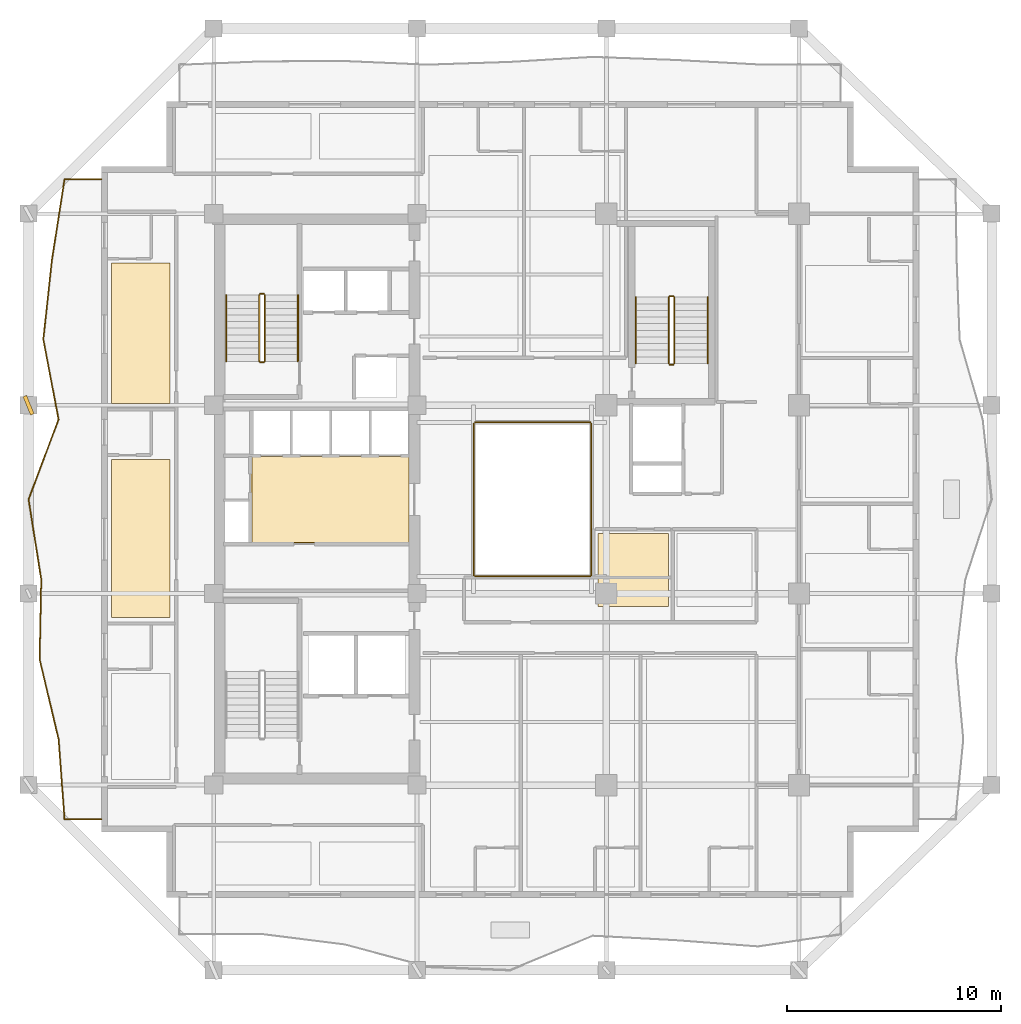
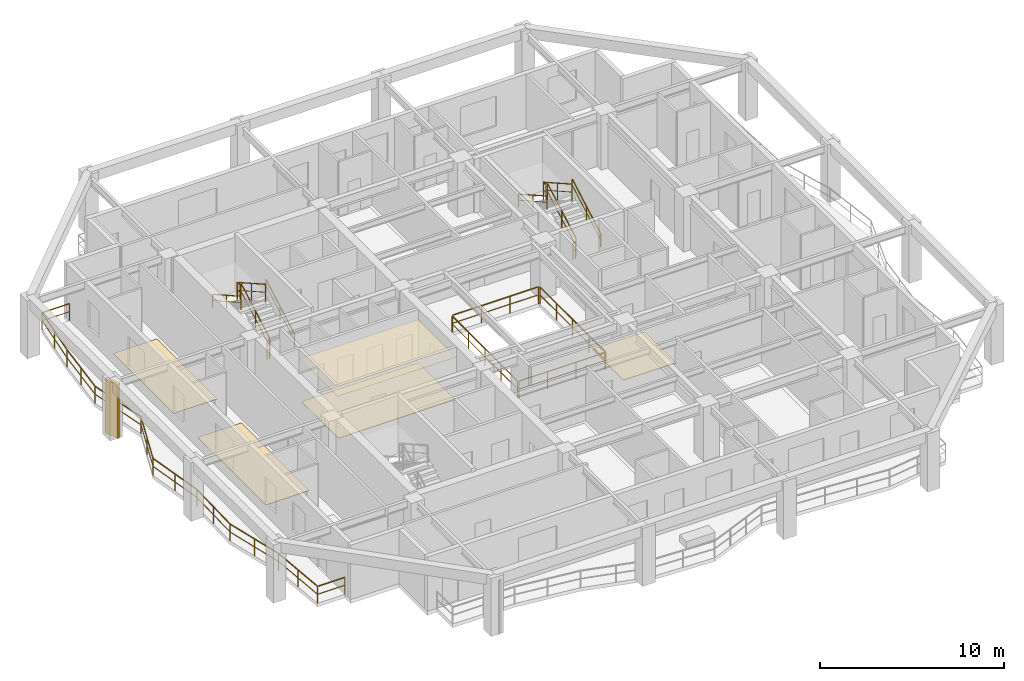
# One storey, part 9 of 11: 17 railings, 5 coverings, 1 shading device.
"""IFC4 building model written with IfcOpenShell, lengths in metres."""

from ifc_helpers import new_model, si_unit, direction, frame, origin, origin_2d, place, context, subcontext, project, spatial, polyline, rectangle, outline, extrude, material, layer, layer_set, type_object, element, save


model = new_model("IFC4")

# Units and contexts
model_context = context("Model", 3, precision=1e-05, world=origin(), true_north=direction((0.0, 1.0)))
body_context = subcontext(model_context, "Body", "Model", "MODEL_VIEW")
ifc_project = project(units=[si_unit("LENGTHUNIT", "METRE"), si_unit("AREAUNIT", "SQUARE_METRE"), si_unit("VOLUMEUNIT", "CUBIC_METRE"), si_unit("PLANEANGLEUNIT", "RADIAN"), si_unit("MASSUNIT", "GRAM", prefix="KILO")], contexts=[model_context])

# Site, building, storey
site_placement = place(None, origin())
site = spatial("IfcSite", under=ifc_project, at=site_placement, CompositionType="ELEMENT")
building_placement = place(site_placement, origin())
building = spatial("IfcBuilding", under=site, at=building_placement, Name="Kundavana Baori Tower", CompositionType="ELEMENT")
storey_placement = place(building_placement, frame((0.0, 0.0, 127.10009765625)))
storey = spatial("IfcBuildingStorey", under=building, at=storey_placement, Name="L30", CompositionType="ELEMENT", Elevation=127.10009765625)

# Coverings
ifc_material_1 = material(Name="Perforated Acoustic Mineral Fibre Ceiling Board")
ifc_layer_1 = layer(ifc_material_1, 0.02490234375, Name="COV-INT-CEIL")
ifc_layer_set_1 = layer_set([ifc_layer_1], Name="Perforated Acoustic Mineral Fibre Ceiling Board")
covering_type_1 = type_object("IfcCoveringType", Name="COV-INT-CEIL", PredefinedType="CEILING", material=ifc_layer_set_1)
covering_1_placement = place(storey_placement, frame((0.0, 0.0, 2.849853515625)))
element("IfcCovering", 1, at=covering_1_placement, inside=storey, type_object=covering_type_1, Name="L30 Core Lift Lobby Acoustic Ceiling", PredefinedType="CEILING", context=body_context, shape_type="SweptSolid", body=[
    extrude(outline(polyline([(17.159912109375, 26.52001953125), (24.580078125, 26.52001953125), (24.580078125, 30.639892578125), (17.159912109375, 30.639892578125), (17.159912109375, 26.52001953125)])), origin(), (0.0, 0.0, 1.0), 0.025146484375),
])
ifc_material_2 = material(Name="Honed Kota Stone and Terrazzo Flooring", Category="masonry")
ifc_layer_2 = layer(ifc_material_2, 0.030029296875, Name="COV-INT-FLR")
ifc_layer_set_2 = layer_set([ifc_layer_2], Name="Honed Kota Stone and Terrazzo Flooring")
covering_type_2 = type_object("IfcCoveringType", Name="COV-INT-FLR", PredefinedType="FLOORING", material=ifc_layer_set_2)
covering_2_placement = place(storey_placement, origin())
element("IfcCovering", 2, at=covering_2_placement, inside=storey, type_object=covering_type_2, Name="L30 Room Finished Stone Flooring 2", PredefinedType="FLOORING", context=body_context, shape_type="SweptSolid", body=[
    extrude(outline(polyline([(10.679931640625, 23.080078125), (13.419921875, 23.080078125), (13.419921875, 30.469970703125), (10.679931640625, 30.469970703125), (10.679931640625, 23.080078125)])), origin(), (0.0, 0.0, 1.0), 0.02978515625),
])
covering_3_placement = place(storey_placement, origin())
element("IfcCovering", 3, at=covering_3_placement, inside=storey, type_object=covering_type_2, Name="L30 Room Finished Stone Flooring 3", PredefinedType="FLOORING", context=body_context, shape_type="SweptSolid", body=[
    extrude(outline(polyline([(10.679931640625, 33.080078125), (13.419921875, 33.080078125), (13.419921875, 39.64990234375), (10.679931640625, 39.64990234375), (10.679931640625, 33.080078125)])), origin(), (0.0, 0.0, 1.0), 0.02978515625),
])
covering_4_placement = place(storey_placement, origin())
element("IfcCovering", 4, at=covering_4_placement, inside=storey, type_object=covering_type_2, Name="L30 Room Finished Stone Flooring 17", PredefinedType="FLOORING", context=body_context, shape_type="SweptSolid", body=[
    extrude(outline(polyline([(33.39990234375, 23.60009765625), (36.699951171875, 23.60009765625), (36.699951171875, 27.0), (33.39990234375, 27.0), (33.39990234375, 23.60009765625)])), origin(), (0.0, 0.0, 1.0), 0.02978515625),
])
covering_5_placement = place(storey_placement, origin())
element("IfcCovering", 5, at=covering_5_placement, inside=storey, type_object=covering_type_2, Name="L30 Core Lift Lobby Kota Stone Flooring", PredefinedType="FLOORING", context=body_context, shape_type="SweptSolid", body=[
    extrude(outline(polyline([(17.25, 26.580078125), (24.580078125, 26.580078125), (24.580078125, 30.60009765625), (17.25, 30.60009765625), (17.25, 26.580078125)])), origin(), (0.0, 0.0, 1.0), 0.02978515625),
])

# Railings
ifc_material_3 = material(Name="Architectural Patinated Bronze Metalwork")
railing_type_1 = type_object("IfcRailingType", Name="RL-BAL-1150", PredefinedType="BALUSTRADE", material=ifc_material_3)
railing_1_placement = place(storey_placement, frame((10.199951171875, 13.64990234375, 0.0)))
element("IfcRailing", 6, at=railing_1_placement, inside=storey, type_object=railing_type_1, Name="L30 Loggia Balcony Balustrade W", PredefinedType="BALUSTRADE", context=body_context, shape_type="SweptSolid", body=[
    extrude(rectangle(XDim=0.048095703125, YDim=0.048095703125, at=origin_2d()), frame((0.0, 0.0, 1.1259765625), z_axis=(-1.0, 0.0, 0.0), x_axis=(0.0, -1.0, 0.0)), (0.0, 0.0, 1.0), 1.719970703125),
    extrude(rectangle(XDim=0.03125, YDim=0.03125, at=origin_2d()), frame((0.0, 0.0, 0.597900390625), z_axis=(-1.0, 0.0, 0.0), x_axis=(0.0, -1.0, 0.0)), (0.0, 0.0, 1.0), 1.719970703125),
    extrude(rectangle(XDim=0.048095703125, YDim=0.048095703125, at=origin_2d()), frame((-1.719970703125, 0.0, 1.1259765625), z_axis=(-0.073946079801, 0.997262240979, 0.0), x_axis=(-0.997262240979, -0.073946079801, 0.0)), (0.0, 0.0, 1.0), 3.747314453125),
    extrude(rectangle(XDim=0.03125, YDim=0.03125, at=origin_2d()), frame((-1.719970703125, 0.0, 0.597900390625), z_axis=(-0.073946079801, 0.997262240979, 0.0), x_axis=(-0.997262240979, -0.073946079801, 0.0)), (0.0, 0.0, 1.0), 3.747314453125),
    extrude(rectangle(XDim=0.048095703125, YDim=0.048095703125, at=origin_2d()), frame((-1.9970703125, 3.737060546875, 1.1259765625), z_axis=(-0.231110777151, 0.972927442662, 0.0), x_axis=(-0.972927442662, -0.231110777151, 0.0)), (0.0, 0.0, 1.0), 3.842041015625),
    extrude(rectangle(XDim=0.03125, YDim=0.03125, at=origin_2d()), frame((-1.9970703125, 3.737060546875, 0.597900390625), z_axis=(-0.231110777151, 0.972927442662, 0.0), x_axis=(-0.972927442662, -0.231110777151, 0.0)), (0.0, 0.0, 1.0), 3.842041015625),
    extrude(rectangle(XDim=0.048095703125, YDim=0.048095703125, at=origin_2d()), frame((-2.885009765625, 7.47509765625, 1.1259765625), z_axis=(0.020052150857, 0.99979893541, 0.0), x_axis=(-0.99979893541, 0.020052150857, 0.0)), (0.0, 0.0, 1.0), 3.73779296875),
    extrude(rectangle(XDim=0.03125, YDim=0.03125, at=origin_2d()), frame((-2.885009765625, 7.47509765625, 0.597900390625), z_axis=(0.020052150857, 0.99979893541, 0.0), x_axis=(-0.99979893541, 0.020052150857, 0.0)), (0.0, 0.0, 1.0), 3.73779296875),
    extrude(rectangle(XDim=0.048095703125, YDim=0.048095703125, at=origin_2d()), frame((-2.81005859375, 11.212158203125, 1.1259765625), z_axis=(-0.155866498768, 0.987778130231, 0.0), x_axis=(-0.987778130231, -0.155866498768, 0.0)), (0.0, 0.0, 1.0), 3.7841796875),
    extrude(rectangle(XDim=0.03125, YDim=0.03125, at=origin_2d()), frame((-2.81005859375, 11.212158203125, 0.597900390625), z_axis=(-0.155866498768, 0.987778130231, 0.0), x_axis=(-0.987778130231, -0.155866498768, 0.0)), (0.0, 0.0, 1.0), 3.7841796875),
    extrude(rectangle(XDim=0.048095703125, YDim=0.048095703125, at=origin_2d()), frame((-3.39990234375, 14.9501953125, 1.1259765625), z_axis=(0.351029580303, 0.936364370185, 0.0), x_axis=(-0.936364370185, 0.351029580303, 0.0)), (0.0, 0.0, 1.0), 3.99072265625),
    extrude(rectangle(XDim=0.03125, YDim=0.03125, at=origin_2d()), frame((-3.39990234375, 14.9501953125, 0.597900390625), z_axis=(0.351029580303, 0.936364370185, 0.0), x_axis=(-0.936364370185, 0.351029580303, 0.0)), (0.0, 0.0, 1.0), 3.99072265625),
    extrude(rectangle(XDim=0.048095703125, YDim=0.048095703125, at=origin_2d()), frame((-1.9990234375, 18.68701171875, 1.1259765625), z_axis=(-0.187583759242, 0.982248610724, 0.0), x_axis=(-0.982248610724, -0.187583759242, 0.0)), (0.0, 0.0, 1.0), 3.8056640625),
    extrude(rectangle(XDim=0.03125, YDim=0.03125, at=origin_2d()), frame((-1.9990234375, 18.68701171875, 0.597900390625), z_axis=(-0.187583759242, 0.982248610724, 0.0), x_axis=(-0.982248610724, -0.187583759242, 0.0)), (0.0, 0.0, 1.0), 3.8056640625),
    extrude(rectangle(XDim=0.048095703125, YDim=0.048095703125, at=origin_2d()), frame((-2.712890625, 22.425048828125, 1.1259765625), z_axis=(0.10800755031, 0.994150073719, 0.0), x_axis=(-0.994150073719, 0.10800755031, 0.0)), (0.0, 0.0, 1.0), 3.759033203125),
    extrude(rectangle(XDim=0.03125, YDim=0.03125, at=origin_2d()), frame((-2.712890625, 22.425048828125, 0.597900390625), z_axis=(0.10800755031, 0.994150073719, 0.0), x_axis=(-0.994150073719, 0.10800755031, 0.0)), (0.0, 0.0, 1.0), 3.759033203125),
    extrude(rectangle(XDim=0.048095703125, YDim=0.048095703125, at=origin_2d()), frame((-2.306884765625, 26.162109375, 1.1259765625), z_axis=(0.155110998896, 0.987897048291, 0.0), x_axis=(-0.987897048291, 0.155110998896, 0.0)), (0.0, 0.0, 1.0), 3.783935546875),
    extrude(rectangle(XDim=0.03125, YDim=0.03125, at=origin_2d()), frame((-2.306884765625, 26.162109375, 0.597900390625), z_axis=(0.155110998896, 0.987897048291, 0.0), x_axis=(-0.987897048291, 0.155110998896, 0.0)), (0.0, 0.0, 1.0), 3.783935546875),
    extrude(rectangle(XDim=0.048095703125, YDim=0.048095703125, at=origin_2d()), frame((-1.719970703125, 29.900146484375, 1.1259765625), z_axis=(1.0, 0.0, 0.0), x_axis=(0.0, 1.0, 0.0)), (0.0, 0.0, 1.0), 1.719970703125),
    extrude(rectangle(XDim=0.03125, YDim=0.03125, at=origin_2d()), frame((-1.719970703125, 29.900146484375, 0.597900390625), z_axis=(1.0, 0.0, 0.0), x_axis=(0.0, 1.0, 0.0)), (0.0, 0.0, 1.0), 1.719970703125),
    extrude(rectangle(XDim=0.0419921875, YDim=0.0419921875, at=origin_2d()), origin(), (0.0, 0.0, 1.0), 1.101806640625),
    extrude(rectangle(XDim=0.0419921875, YDim=0.0419921875, at=origin_2d()), frame((-1.719970703125, 0.0, 0.0)), (0.0, 0.0, 1.0), 1.101806640625),
    extrude(rectangle(XDim=0.0419921875, YDim=0.0419921875, at=origin_2d()), frame((-1.8583984375, 1.86865234375, 0.0)), (0.0, 0.0, 1.0), 1.101806640625),
    extrude(rectangle(XDim=0.0419921875, YDim=0.0419921875, at=origin_2d()), frame((-1.9970703125, 3.737060546875, 0.0)), (0.0, 0.0, 1.0), 1.101806640625),
    extrude(rectangle(XDim=0.0419921875, YDim=0.0419921875, at=origin_2d()), frame((-2.44091796875, 5.60595703125, 0.0)), (0.0, 0.0, 1.0), 1.101806640625),
    extrude(rectangle(XDim=0.0419921875, YDim=0.0419921875, at=origin_2d()), frame((-2.885009765625, 7.47509765625, 0.0)), (0.0, 0.0, 1.0), 1.101806640625),
    extrude(rectangle(XDim=0.0419921875, YDim=0.0419921875, at=origin_2d()), frame((-2.84765625, 9.34375, 0.0)), (0.0, 0.0, 1.0), 1.101806640625),
    extrude(rectangle(XDim=0.0419921875, YDim=0.0419921875, at=origin_2d()), frame((-2.81005859375, 11.212158203125, 0.0)), (0.0, 0.0, 1.0), 1.101806640625),
    extrude(rectangle(XDim=0.0419921875, YDim=0.0419921875, at=origin_2d()), frame((-3.10498046875, 13.0810546875, 0.0)), (0.0, 0.0, 1.0), 1.101806640625),
    extrude(rectangle(XDim=0.0419921875, YDim=0.0419921875, at=origin_2d()), frame((-3.39990234375, 14.9501953125, 0.0)), (0.0, 0.0, 1.0), 1.101806640625),
    extrude(rectangle(XDim=0.0419921875, YDim=0.0419921875, at=origin_2d()), frame((-2.699462890625, 16.818603515625, 0.0)), (0.0, 0.0, 1.0), 1.101806640625),
    extrude(rectangle(XDim=0.0419921875, YDim=0.0419921875, at=origin_2d()), frame((-1.9990234375, 18.68701171875, 0.0)), (0.0, 0.0, 1.0), 1.101806640625),
    extrude(rectangle(XDim=0.0419921875, YDim=0.0419921875, at=origin_2d()), frame((-2.35595703125, 20.55615234375, 0.0)), (0.0, 0.0, 1.0), 1.101806640625),
    extrude(rectangle(XDim=0.0419921875, YDim=0.0419921875, at=origin_2d()), frame((-2.712890625, 22.425048828125, 0.0)), (0.0, 0.0, 1.0), 1.101806640625),
    extrude(rectangle(XDim=0.0419921875, YDim=0.0419921875, at=origin_2d()), frame((-2.509765625, 24.29345703125, 0.0)), (0.0, 0.0, 1.0), 1.101806640625),
    extrude(rectangle(XDim=0.0419921875, YDim=0.0419921875, at=origin_2d()), frame((-2.306884765625, 26.162109375, 0.0)), (0.0, 0.0, 1.0), 1.101806640625),
    extrude(rectangle(XDim=0.0419921875, YDim=0.0419921875, at=origin_2d()), frame((-2.013427734375, 28.03125, 0.0)), (0.0, 0.0, 1.0), 1.101806640625),
    extrude(rectangle(XDim=0.0419921875, YDim=0.0419921875, at=origin_2d()), frame((-1.719970703125, 29.900146484375, 0.0)), (0.0, 0.0, 1.0), 1.101806640625),
    extrude(rectangle(XDim=0.0419921875, YDim=0.0419921875, at=origin_2d()), frame((0.0, 29.900146484375, 0.0)), (0.0, 0.0, 1.0), 1.101806640625),
])
ifc_material_4 = material(Name="Architectural Patinated Bronze Metalwork")
railing_type_2 = type_object("IfcRailingType", Name="RL-GRD-1150", PredefinedType="GUARDRAIL", material=ifc_material_4)
railing_2_placement = place(storey_placement, frame((17.840087890625, 35.050048828125, 0.1748046875)))
element("IfcRailing", 7, at=railing_2_placement, inside=storey, type_object=railing_type_2, Name="L30 ST2 stair guard 1", PredefinedType="GUARDRAIL", context=body_context, shape_type="SweptSolid", body=[
    extrude(rectangle(XDim=0.048095703125, YDim=0.048095703125, at=origin_2d()), frame((0.0, 0.0, 1.1259765625), z_axis=(0.0, 0.870814364268, 0.491611984175), x_axis=(-1.0, 0.0, 0.0)), (0.0, 0.0, 1.0), 3.559814453125),
    extrude(rectangle(XDim=0.03125, YDim=0.03125, at=origin_2d()), frame((0.0, 0.0, 0.597900390625), z_axis=(0.0, 0.870814364268, 0.491611984175), x_axis=(-1.0, 0.0, 0.0)), (0.0, 0.0, 1.0), 3.559814453125),
    extrude(rectangle(XDim=0.0419921875, YDim=0.0419921875, at=origin_2d()), origin(), (0.0, 0.0, 1.0), 1.101806640625),
    extrude(rectangle(XDim=0.0419921875, YDim=0.0419921875, at=origin_2d()), frame((0.0, 1.5498046875, 0.875)), (0.0, 0.0, 1.0), 1.101806640625),
    extrude(rectangle(XDim=0.0419921875, YDim=0.0419921875, at=origin_2d()), frame((0.0, 3.099853515625, 1.75)), (0.0, 0.0, 1.0), 1.101806640625),
])
railing_3_placement = place(storey_placement, frame((17.7900390625, 38.199951171875, 1.9248046875)))
element("IfcRailing", 8, at=railing_3_placement, inside=storey, type_object=railing_type_2, Name="L30 ST2 stair guard 2", PredefinedType="GUARDRAIL", context=body_context, shape_type="SweptSolid", body=[
    extrude(rectangle(XDim=0.048095703125, YDim=0.048095703125, at=origin_2d()), frame((0.0, 0.0, 1.1259765625), z_axis=(-1.0, 0.0, 0.0), x_axis=(0.0, -1.0, 0.0)), (0.0, 0.0, 1.0), 0.16015625),
    extrude(rectangle(XDim=0.03125, YDim=0.03125, at=origin_2d()), frame((0.0, 0.0, 0.597900390625), z_axis=(-1.0, 0.0, 0.0), x_axis=(0.0, -1.0, 0.0)), (0.0, 0.0, 1.0), 0.16015625),
    extrude(rectangle(XDim=0.0419921875, YDim=0.0419921875, at=origin_2d()), origin(), (0.0, 0.0, 1.0), 1.101806640625),
    extrude(rectangle(XDim=0.0419921875, YDim=0.0419921875, at=origin_2d()), frame((-0.16015625, 0.0, 0.0)), (0.0, 0.0, 1.0), 1.101806640625),
])
railing_4_placement = place(storey_placement, frame((17.580078125, 38.14990234375, 2.099853515625)))
element("IfcRailing", 9, at=railing_4_placement, inside=storey, type_object=railing_type_2, Name="L30 ST2 stair guard 3", PredefinedType="GUARDRAIL", context=body_context, shape_type="SweptSolid", body=[
    extrude(rectangle(XDim=0.048095703125, YDim=0.048095703125, at=origin_2d()), frame((0.0, 0.0, 1.1259765625), z_axis=(0.0, -0.870814364268, 0.491611984175), x_axis=(1.0, 0.0, 0.0)), (0.0, 0.0, 1.0), 3.559814453125),
    extrude(rectangle(XDim=0.03125, YDim=0.03125, at=origin_2d()), frame((0.0, 0.0, 0.597900390625), z_axis=(0.0, -0.870814364268, 0.491611984175), x_axis=(1.0, 0.0, 0.0)), (0.0, 0.0, 1.0), 3.559814453125),
    extrude(rectangle(XDim=0.0419921875, YDim=0.0419921875, at=origin_2d()), origin(), (0.0, 0.0, 1.0), 1.101806640625),
    extrude(rectangle(XDim=0.0419921875, YDim=0.0419921875, at=origin_2d()), frame((0.0, -1.5498046875, 0.875)), (0.0, 0.0, 1.0), 1.101806640625),
    extrude(rectangle(XDim=0.0419921875, YDim=0.0419921875, at=origin_2d()), frame((0.0, -3.099853515625, 1.75)), (0.0, 0.0, 1.0), 1.101806640625),
])
railing_5_placement = place(storey_placement, frame((17.7900390625, 35.0, 0.0)))
element("IfcRailing", 10, at=railing_5_placement, inside=storey, type_object=railing_type_2, Name="L30 ST2 stair guard 4", PredefinedType="GUARDRAIL", context=body_context, shape_type="SweptSolid", body=[
    extrude(rectangle(XDim=0.048095703125, YDim=0.048095703125, at=origin_2d()), frame((0.0, 0.0, 1.1259765625), z_axis=(-1.0, 0.0, 0.0), x_axis=(0.0, -1.0, 0.0)), (0.0, 0.0, 1.0), 0.16015625),
    extrude(rectangle(XDim=0.03125, YDim=0.03125, at=origin_2d()), frame((0.0, 0.0, 0.597900390625), z_axis=(-1.0, 0.0, 0.0), x_axis=(0.0, -1.0, 0.0)), (0.0, 0.0, 1.0), 0.16015625),
    extrude(rectangle(XDim=0.0419921875, YDim=0.0419921875, at=origin_2d()), origin(), (0.0, 0.0, 1.0), 1.101806640625),
    extrude(rectangle(XDim=0.0419921875, YDim=0.0419921875, at=origin_2d()), frame((-0.16015625, 0.0, 0.0)), (0.0, 0.0, 1.0), 1.101806640625),
])
railing_6_placement = place(storey_placement, frame((36.97998046875, 34.949951171875, 0.1748046875)))
element("IfcRailing", 11, at=railing_6_placement, inside=storey, type_object=railing_type_2, Name="L30 ST3 stair guard 1", PredefinedType="GUARDRAIL", context=body_context, shape_type="SweptSolid", body=[
    extrude(rectangle(XDim=0.048095703125, YDim=0.048095703125, at=origin_2d()), frame((0.0, 0.0, 1.1259765625), z_axis=(0.0, 0.870830938388, 0.491582624537), x_axis=(-1.0, 0.0, 0.0)), (0.0, 0.0, 1.0), 3.559814453125),
    extrude(rectangle(XDim=0.03125, YDim=0.03125, at=origin_2d()), frame((0.0, 0.0, 0.597900390625), z_axis=(0.0, 0.870830938388, 0.491582624537), x_axis=(-1.0, 0.0, 0.0)), (0.0, 0.0, 1.0), 3.559814453125),
    extrude(rectangle(XDim=0.0419921875, YDim=0.0419921875, at=origin_2d()), origin(), (0.0, 0.0, 1.0), 1.101806640625),
    extrude(rectangle(XDim=0.0419921875, YDim=0.0419921875, at=origin_2d()), frame((0.0, 1.550048828125, 0.875)), (0.0, 0.0, 1.0), 1.101806640625),
    extrude(rectangle(XDim=0.0419921875, YDim=0.0419921875, at=origin_2d()), frame((0.0, 3.10009765625, 1.75)), (0.0, 0.0, 1.0), 1.101806640625),
])
railing_7_placement = place(storey_placement, frame((36.929931640625, 38.10009765625, 1.9248046875)))
element("IfcRailing", 12, at=railing_7_placement, inside=storey, type_object=railing_type_2, Name="L30 ST3 stair guard 2", PredefinedType="GUARDRAIL", context=body_context, shape_type="SweptSolid", body=[
    extrude(rectangle(XDim=0.048095703125, YDim=0.048095703125, at=origin_2d()), frame((0.0, 0.0, 1.1259765625), z_axis=(-1.0, 0.0, 0.0), x_axis=(0.0, -1.0, 0.0)), (0.0, 0.0, 1.0), 0.159912109375),
    extrude(rectangle(XDim=0.03125, YDim=0.03125, at=origin_2d()), frame((0.0, 0.0, 0.597900390625), z_axis=(-1.0, 0.0, 0.0), x_axis=(0.0, -1.0, 0.0)), (0.0, 0.0, 1.0), 0.159912109375),
    extrude(rectangle(XDim=0.0419921875, YDim=0.0419921875, at=origin_2d()), origin(), (0.0, 0.0, 1.0), 1.101806640625),
    extrude(rectangle(XDim=0.0419921875, YDim=0.0419921875, at=origin_2d()), frame((-0.159912109375, 0.0, 0.0)), (0.0, 0.0, 1.0), 1.101806640625),
])
railing_8_placement = place(storey_placement, frame((36.719970703125, 38.050048828125, 2.099853515625)))
element("IfcRailing", 13, at=railing_8_placement, inside=storey, type_object=railing_type_2, Name="L30 ST3 stair guard 3", PredefinedType="GUARDRAIL", context=body_context, shape_type="SweptSolid", body=[
    extrude(rectangle(XDim=0.048095703125, YDim=0.048095703125, at=origin_2d()), frame((0.0, 0.0, 1.1259765625), z_axis=(0.0, -0.870830938388, 0.491582624537), x_axis=(1.0, 0.0, 0.0)), (0.0, 0.0, 1.0), 3.559814453125),
    extrude(rectangle(XDim=0.03125, YDim=0.03125, at=origin_2d()), frame((0.0, 0.0, 0.597900390625), z_axis=(0.0, -0.870830938388, 0.491582624537), x_axis=(1.0, 0.0, 0.0)), (0.0, 0.0, 1.0), 3.559814453125),
    extrude(rectangle(XDim=0.0419921875, YDim=0.0419921875, at=origin_2d()), origin(), (0.0, 0.0, 1.0), 1.101806640625),
    extrude(rectangle(XDim=0.0419921875, YDim=0.0419921875, at=origin_2d()), frame((0.0, -1.550048828125, 0.875)), (0.0, 0.0, 1.0), 1.101806640625),
    extrude(rectangle(XDim=0.0419921875, YDim=0.0419921875, at=origin_2d()), frame((0.0, -3.10009765625, 1.75)), (0.0, 0.0, 1.0), 1.101806640625),
])
railing_9_placement = place(storey_placement, frame((36.929931640625, 34.89990234375, 0.0)))
element("IfcRailing", 14, at=railing_9_placement, inside=storey, type_object=railing_type_2, Name="L30 ST3 stair guard 4", PredefinedType="GUARDRAIL", context=body_context, shape_type="SweptSolid", body=[
    extrude(rectangle(XDim=0.048095703125, YDim=0.048095703125, at=origin_2d()), frame((0.0, 0.0, 1.1259765625), z_axis=(-1.0, 0.0, 0.0), x_axis=(0.0, -1.0, 0.0)), (0.0, 0.0, 1.0), 0.159912109375),
    extrude(rectangle(XDim=0.03125, YDim=0.03125, at=origin_2d()), frame((0.0, 0.0, 0.597900390625), z_axis=(-1.0, 0.0, 0.0), x_axis=(0.0, -1.0, 0.0)), (0.0, 0.0, 1.0), 0.159912109375),
    extrude(rectangle(XDim=0.0419921875, YDim=0.0419921875, at=origin_2d()), origin(), (0.0, 0.0, 1.0), 1.101806640625),
    extrude(rectangle(XDim=0.0419921875, YDim=0.0419921875, at=origin_2d()), frame((-0.159912109375, 0.0, 0.0)), (0.0, 0.0, 1.0), 1.101806640625),
])
railing_10_placement = place(storey_placement, frame((27.659912109375, 25.0, 0.0)))
element("IfcRailing", 15, at=railing_10_placement, inside=storey, type_object=railing_type_2, Name="L30 Atrium Void Perimeter Guardrail S", PredefinedType="GUARDRAIL", context=body_context, shape_type="SweptSolid", body=[
    extrude(rectangle(XDim=0.048095703125, YDim=0.048095703125, at=origin_2d()), frame((0.0, 0.0, 1.1259765625), z_axis=(1.0, 0.0, 0.0), x_axis=(0.0, 1.0, 0.0)), (0.0, 0.0, 1.0), 5.380126953125),
    extrude(rectangle(XDim=0.03125, YDim=0.03125, at=origin_2d()), frame((0.0, 0.0, 0.597900390625), z_axis=(1.0, 0.0, 0.0), x_axis=(0.0, 1.0, 0.0)), (0.0, 0.0, 1.0), 5.380126953125),
    extrude(rectangle(XDim=0.0419921875, YDim=0.0419921875, at=origin_2d()), origin(), (0.0, 0.0, 1.0), 1.101806640625),
    extrude(rectangle(XDim=0.0419921875, YDim=0.0419921875, at=origin_2d()), frame((1.79345703125, 0.0, 0.0)), (0.0, 0.0, 1.0), 1.101806640625),
    extrude(rectangle(XDim=0.0419921875, YDim=0.0419921875, at=origin_2d()), frame((3.586669921875, 0.0, 0.0)), (0.0, 0.0, 1.0), 1.101806640625),
    extrude(rectangle(XDim=0.0419921875, YDim=0.0419921875, at=origin_2d()), frame((5.380126953125, 0.0, 0.0)), (0.0, 0.0, 1.0), 1.101806640625),
])
railing_11_placement = place(storey_placement, frame((33.10009765625, 25.06005859375, 0.0)))
element("IfcRailing", 16, at=railing_11_placement, inside=storey, type_object=railing_type_2, Name="L30 Atrium Void Perimeter Guardrail E", PredefinedType="GUARDRAIL", context=body_context, shape_type="SweptSolid", body=[
    extrude(rectangle(XDim=0.048095703125, YDim=0.048095703125, at=origin_2d()), frame((0.0, 0.0, 1.1259765625), z_axis=(0.0, 1.0, 0.0), x_axis=(-1.0, 0.0, 0.0)), (0.0, 0.0, 1.0), 7.079833984375),
    extrude(rectangle(XDim=0.03125, YDim=0.03125, at=origin_2d()), frame((0.0, 0.0, 0.597900390625), z_axis=(0.0, 1.0, 0.0), x_axis=(-1.0, 0.0, 0.0)), (0.0, 0.0, 1.0), 7.079833984375),
    extrude(rectangle(XDim=0.0419921875, YDim=0.0419921875, at=origin_2d()), origin(), (0.0, 0.0, 1.0), 1.101806640625),
    extrude(rectangle(XDim=0.0419921875, YDim=0.0419921875, at=origin_2d()), frame((0.0, 1.77001953125, 0.0)), (0.0, 0.0, 1.0), 1.101806640625),
    extrude(rectangle(XDim=0.0419921875, YDim=0.0419921875, at=origin_2d()), frame((0.0, 3.5400390625, 0.0)), (0.0, 0.0, 1.0), 1.101806640625),
    extrude(rectangle(XDim=0.0419921875, YDim=0.0419921875, at=origin_2d()), frame((0.0, 5.309814453125, 0.0)), (0.0, 0.0, 1.0), 1.101806640625),
    extrude(rectangle(XDim=0.0419921875, YDim=0.0419921875, at=origin_2d()), frame((0.0, 7.079833984375, 0.0)), (0.0, 0.0, 1.0), 1.101806640625),
])
railing_12_placement = place(storey_placement, frame((33.0400390625, 32.199951171875, 0.0)))
element("IfcRailing", 17, at=railing_12_placement, inside=storey, type_object=railing_type_2, Name="L30 Atrium Void Perimeter Guardrail N", PredefinedType="GUARDRAIL", context=body_context, shape_type="SweptSolid", body=[
    extrude(rectangle(XDim=0.048095703125, YDim=0.048095703125, at=origin_2d()), frame((0.0, 0.0, 1.1259765625), z_axis=(-1.0, 0.0, 0.0), x_axis=(0.0, -1.0, 0.0)), (0.0, 0.0, 1.0), 5.380126953125),
    extrude(rectangle(XDim=0.03125, YDim=0.03125, at=origin_2d()), frame((0.0, 0.0, 0.597900390625), z_axis=(-1.0, 0.0, 0.0), x_axis=(0.0, -1.0, 0.0)), (0.0, 0.0, 1.0), 5.380126953125),
    extrude(rectangle(XDim=0.0419921875, YDim=0.0419921875, at=origin_2d()), origin(), (0.0, 0.0, 1.0), 1.101806640625),
    extrude(rectangle(XDim=0.0419921875, YDim=0.0419921875, at=origin_2d()), frame((-1.79345703125, 0.0, 0.0)), (0.0, 0.0, 1.0), 1.101806640625),
    extrude(rectangle(XDim=0.0419921875, YDim=0.0419921875, at=origin_2d()), frame((-3.586669921875, 0.0, 0.0)), (0.0, 0.0, 1.0), 1.101806640625),
    extrude(rectangle(XDim=0.0419921875, YDim=0.0419921875, at=origin_2d()), frame((-5.380126953125, 0.0, 0.0)), (0.0, 0.0, 1.0), 1.101806640625),
])
railing_13_placement = place(storey_placement, frame((27.60009765625, 32.139892578125, 0.0)))
element("IfcRailing", 18, at=railing_13_placement, inside=storey, type_object=railing_type_2, Name="L30 Atrium Void Perimeter Guardrail W", PredefinedType="GUARDRAIL", context=body_context, shape_type="SweptSolid", body=[
    extrude(rectangle(XDim=0.048095703125, YDim=0.048095703125, at=origin_2d()), frame((0.0, 0.0, 1.1259765625), z_axis=(0.0, -1.0, 0.0), x_axis=(1.0, 0.0, 0.0)), (0.0, 0.0, 1.0), 7.079833984375),
    extrude(rectangle(XDim=0.03125, YDim=0.03125, at=origin_2d()), frame((0.0, 0.0, 0.597900390625), z_axis=(0.0, -1.0, 0.0), x_axis=(1.0, 0.0, 0.0)), (0.0, 0.0, 1.0), 7.079833984375),
    extrude(rectangle(XDim=0.0419921875, YDim=0.0419921875, at=origin_2d()), origin(), (0.0, 0.0, 1.0), 1.101806640625),
    extrude(rectangle(XDim=0.0419921875, YDim=0.0419921875, at=origin_2d()), frame((0.0, -1.77001953125, 0.0)), (0.0, 0.0, 1.0), 1.101806640625),
    extrude(rectangle(XDim=0.0419921875, YDim=0.0419921875, at=origin_2d()), frame((0.0, -3.5400390625, 0.0)), (0.0, 0.0, 1.0), 1.101806640625),
    extrude(rectangle(XDim=0.0419921875, YDim=0.0419921875, at=origin_2d()), frame((0.0, -5.309814453125, 0.0)), (0.0, 0.0, 1.0), 1.101806640625),
    extrude(rectangle(XDim=0.0419921875, YDim=0.0419921875, at=origin_2d()), frame((0.0, -7.079833984375, 0.0)), (0.0, 0.0, 1.0), 1.101806640625),
])
ifc_material_5 = material(Name="Architectural Patinated Bronze Metalwork")
railing_type_3 = type_object("IfcRailingType", Name="RL-HND-920", PredefinedType="HANDRAIL", material=ifc_material_5)
railing_14_placement = place(storey_placement, frame((19.389892578125, 35.050048828125, 0.1748046875)))
element("IfcRailing", 19, at=railing_14_placement, inside=storey, type_object=railing_type_3, Name="L30 ST2 stair handrail 1", PredefinedType="HANDRAIL", context=body_context, shape_type="SweptSolid", body=[
    extrude(rectangle(XDim=0.048095703125, YDim=0.048095703125, at=origin_2d()), frame((0.0, 0.0, 0.8759765625), z_axis=(0.0, 0.870814364268, 0.491611984175), x_axis=(-1.0, 0.0, 0.0)), (0.0, 0.0, 1.0), 3.559814453125),
    extrude(rectangle(XDim=0.03125, YDim=0.03125, at=origin_2d()), frame((0.0, 0.0, 0.468017578125), z_axis=(0.0, 0.870814364268, 0.491611984175), x_axis=(-1.0, 0.0, 0.0)), (0.0, 0.0, 1.0), 3.559814453125),
    extrude(rectangle(XDim=0.0419921875, YDim=0.0419921875, at=origin_2d()), origin(), (0.0, 0.0, 1.0), 0.851806640625),
    extrude(rectangle(XDim=0.0419921875, YDim=0.0419921875, at=origin_2d()), frame((0.0, 1.5498046875, 0.875)), (0.0, 0.0, 1.0), 0.851806640625),
    extrude(rectangle(XDim=0.0419921875, YDim=0.0419921875, at=origin_2d()), frame((0.0, 3.099853515625, 1.75)), (0.0, 0.0, 1.0), 0.851806640625),
])
railing_15_placement = place(storey_placement, frame((16.030029296875, 38.14990234375, 2.099853515625)))
element("IfcRailing", 20, at=railing_15_placement, inside=storey, type_object=railing_type_3, Name="L30 ST2 stair handrail 2", PredefinedType="HANDRAIL", context=body_context, shape_type="SweptSolid", body=[
    extrude(rectangle(XDim=0.048095703125, YDim=0.048095703125, at=origin_2d()), frame((0.0, 0.0, 0.8759765625), z_axis=(0.0, -0.870814364268, 0.491611984175), x_axis=(1.0, 0.0, 0.0)), (0.0, 0.0, 1.0), 3.559814453125),
    extrude(rectangle(XDim=0.03125, YDim=0.03125, at=origin_2d()), frame((0.0, 0.0, 0.468017578125), z_axis=(0.0, -0.870814364268, 0.491611984175), x_axis=(1.0, 0.0, 0.0)), (0.0, 0.0, 1.0), 3.559814453125),
    extrude(rectangle(XDim=0.0419921875, YDim=0.0419921875, at=origin_2d()), origin(), (0.0, 0.0, 1.0), 0.851806640625),
    extrude(rectangle(XDim=0.0419921875, YDim=0.0419921875, at=origin_2d()), frame((0.0, -1.5498046875, 0.875)), (0.0, 0.0, 1.0), 0.851806640625),
    extrude(rectangle(XDim=0.0419921875, YDim=0.0419921875, at=origin_2d()), frame((0.0, -3.099853515625, 1.75)), (0.0, 0.0, 1.0), 0.851806640625),
])
railing_16_placement = place(storey_placement, frame((38.530029296875, 34.949951171875, 0.1748046875)))
element("IfcRailing", 21, at=railing_16_placement, inside=storey, type_object=railing_type_3, Name="L30 ST3 stair handrail 1", PredefinedType="HANDRAIL", context=body_context, shape_type="SweptSolid", body=[
    extrude(rectangle(XDim=0.048095703125, YDim=0.048095703125, at=origin_2d()), frame((0.0, 0.0, 0.8759765625), z_axis=(0.0, 0.870830938388, 0.491582624537), x_axis=(-1.0, 0.0, 0.0)), (0.0, 0.0, 1.0), 3.559814453125),
    extrude(rectangle(XDim=0.03125, YDim=0.03125, at=origin_2d()), frame((0.0, 0.0, 0.468017578125), z_axis=(0.0, 0.870830938388, 0.491582624537), x_axis=(-1.0, 0.0, 0.0)), (0.0, 0.0, 1.0), 3.559814453125),
    extrude(rectangle(XDim=0.0419921875, YDim=0.0419921875, at=origin_2d()), origin(), (0.0, 0.0, 1.0), 0.851806640625),
    extrude(rectangle(XDim=0.0419921875, YDim=0.0419921875, at=origin_2d()), frame((0.0, 1.550048828125, 0.875)), (0.0, 0.0, 1.0), 0.851806640625),
    extrude(rectangle(XDim=0.0419921875, YDim=0.0419921875, at=origin_2d()), frame((0.0, 3.10009765625, 1.75)), (0.0, 0.0, 1.0), 0.851806640625),
])
railing_17_placement = place(storey_placement, frame((35.169921875, 38.050048828125, 2.099853515625)))
element("IfcRailing", 22, at=railing_17_placement, inside=storey, type_object=railing_type_3, Name="L30 ST3 stair handrail 2", PredefinedType="HANDRAIL", context=body_context, shape_type="SweptSolid", body=[
    extrude(rectangle(XDim=0.048095703125, YDim=0.048095703125, at=origin_2d()), frame((0.0, 0.0, 0.8759765625), z_axis=(0.0, -0.870830938388, 0.491582624537), x_axis=(1.0, 0.0, 0.0)), (0.0, 0.0, 1.0), 3.559814453125),
    extrude(rectangle(XDim=0.03125, YDim=0.03125, at=origin_2d()), frame((0.0, 0.0, 0.468017578125), z_axis=(0.0, -0.870830938388, 0.491582624537), x_axis=(1.0, 0.0, 0.0)), (0.0, 0.0, 1.0), 3.559814453125),
    extrude(rectangle(XDim=0.0419921875, YDim=0.0419921875, at=origin_2d()), origin(), (0.0, 0.0, 1.0), 0.851806640625),
    extrude(rectangle(XDim=0.0419921875, YDim=0.0419921875, at=origin_2d()), frame((0.0, -1.550048828125, 0.875)), (0.0, 0.0, 1.0), 0.851806640625),
    extrude(rectangle(XDim=0.0419921875, YDim=0.0419921875, at=origin_2d()), frame((0.0, -3.10009765625, 1.75)), (0.0, 0.0, 1.0), 0.851806640625),
])

# Shading device
ifc_material_6 = material(Name="Red-Buff Dholpur Sandstone Cladding on Concrete C40/50", Category="masonry")
shading_device_type = type_object("IfcShadingDeviceType", Name="SHD-FIN-920", PredefinedType="JALOUSIE", material=ifc_material_6)
shading_device_placement = place(storey_placement, frame((6.800048828125, 33.0, -0.000244140625), z_axis=(0.0, 0.0, 1.0), x_axis=(0.925606576571, 0.378487074295, 0.0)))
element("IfcShadingDevice", 23, at=shading_device_placement, inside=storey, type_object=shading_device_type, Name="L30 Sweeping Dholpur Sandstone Facade Fin 7", PredefinedType="JALOUSIE", context=body_context, shape_type="SweptSolid", body=[
    extrude(rectangle(XDim=0.179931640625, YDim=0.919921875, at=origin_2d()), origin(), (0.0, 0.0, 1.0), 3.60009765625),
])

save(model, "model.ifc")
